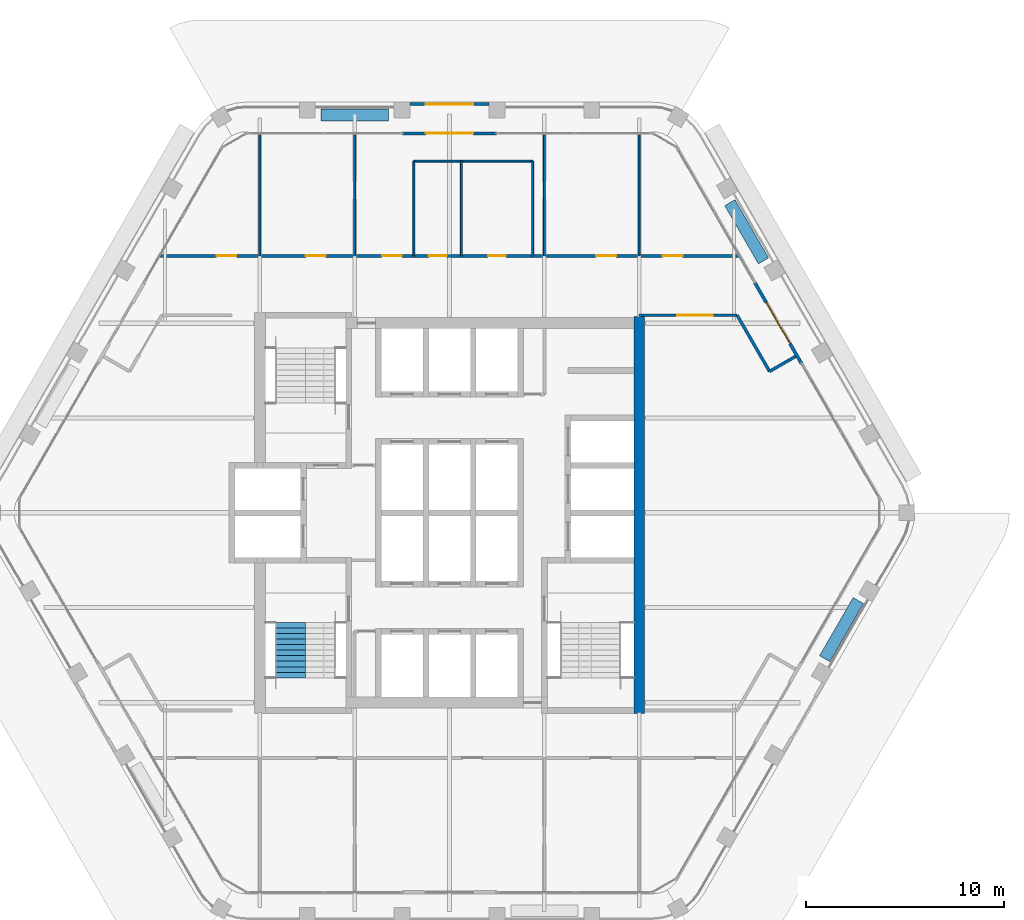
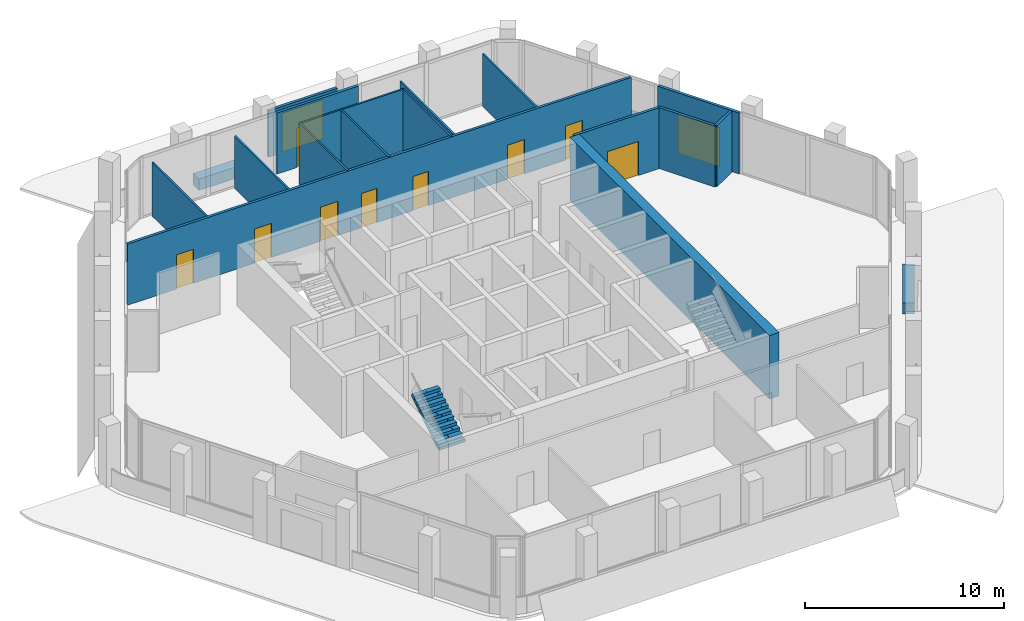
# One storey, part 10 of 14: 19 walls, 11 doors, 1 stair flight, 11 openings, 1 element without a shape of its own.
"""IFC4 building model written with IfcOpenShell, lengths in metres."""

import ifcopenshell
import ifcopenshell.guid

model = None  # the IFC model being written
_history = None  # IfcOwnerHistory: only IFC2X3 demands one
_inside = {}  # id of a spatial element -> (the spatial element, [elements in it])
_under = {}  # id of a project, library or spatial element -> (it, [spatial elements below it])
_declared = {}  # id of a project -> (the project, [libraries it declares])
_typed = {}  # id of a type object -> (the type object, [elements of that type])
_made_of = {}  # id of a material, layer set ... -> (it, [elements and type objects made of it])


def new_model(schema):
    """Start an empty IFC model of exactly this schema.

    Asked for "IFC4X3", IfcOpenShell would pick the latest addendum, in which some entities
    have other attributes; the version numbers below select the first issue.
    IFC2X3 requires an IfcOwnerHistory on every rooted entity: one is made here for all.
    """
    global model, _history
    if schema == "IFC4X3":
        model = ifcopenshell.file(schema_version=(4, 3, 0, 0))
    else:
        model = ifcopenshell.file(schema=schema)
    _inside.clear()
    _under.clear()
    _declared.clear()
    _typed.clear()
    _made_of.clear()
    _history = None
    if model.schema == "IFC2X3":
        org = make("IfcOrganization", Name="unknown")
        user = make(
            "IfcPersonAndOrganization",
            ThePerson=make("IfcPerson", FamilyName="unknown"),
            TheOrganization=org,
        )
        app = make(
            "IfcApplication",
            ApplicationDeveloper=org,
            Version="unknown",
            ApplicationFullName="unknown",
            ApplicationIdentifier="unknown",
        )
        _history = make(
            "IfcOwnerHistory",
            OwningUser=user,
            OwningApplication=app,
            ChangeAction="ADDED",
            CreationDate=0,
        )
    return model


def make(cls, **values):
    """One entity of the class cls with the attributes given. An attribute that is None is left unset."""
    return model.create_entity(
        cls, **{name: value for name, value in values.items() if value is not None}
    )


def rooted(cls, **values):
    """An entity with a GlobalId (a new one), such as an element, a storey or a relation."""
    return make(cls, GlobalId=ifcopenshell.guid.new(), OwnerHistory=_history, **values)


def si_unit(unit_type, name, prefix=None):
    """IfcSIUnit, for example si_unit("LENGTHUNIT", "METRE", prefix="MILLI")."""
    return make("IfcSIUnit", UnitType=unit_type, Prefix=prefix, Name=name)


def assignment(units):
    """IfcUnitAssignment: the units of a project."""
    return None if units is None else make("IfcUnitAssignment", Units=units)


def point(xyz):
    """IfcCartesianPoint."""
    return None if xyz is None else make("IfcCartesianPoint", Coordinates=xyz)


def direction(xyz):
    """IfcDirection."""
    return None if xyz is None else make("IfcDirection", DirectionRatios=xyz)


def frame(location, z_axis=None, x_axis=None):
    """IfcAxis2Placement3D, a coordinate frame: its origin and axes. An axis left out is left unset."""
    return make(
        "IfcAxis2Placement3D",
        Location=point(location),
        Axis=direction(z_axis),
        RefDirection=direction(x_axis),
    )


def frame_2d(location, x_axis=None):
    """IfcAxis2Placement2D, a coordinate frame in the plane: its origin and x axis."""
    return make(
        "IfcAxis2Placement2D", Location=point(location), RefDirection=direction(x_axis)
    )


def origin():
    """The frame at (0, 0, 0) with its axes left unset."""
    return frame((0.0, 0.0, 0.0))


def place(relative_to, where):
    """IfcLocalPlacement: puts the frame where relative to a parent placement (None: the world)."""
    return make(
        "IfcLocalPlacement", PlacementRelTo=relative_to, RelativePlacement=where
    )


def context(
    kind, dimensions, precision=None, world=None, true_north=None, identifier=None
):
    """IfcGeometricRepresentationContext, for example the 3D "Model" context."""
    return make(
        "IfcGeometricRepresentationContext",
        ContextIdentifier=identifier,
        ContextType=kind,
        CoordinateSpaceDimension=dimensions,
        Precision=precision,
        WorldCoordinateSystem=world,
        TrueNorth=true_north,
    )


def subcontext(parent, identifier, kind, view, scale=None):
    """IfcGeometricRepresentationSubContext, for example "Body" below "Model"."""
    return make(
        "IfcGeometricRepresentationSubContext",
        ContextIdentifier=identifier,
        ContextType=kind,
        ParentContext=parent,
        TargetScale=scale,
        TargetView=view,
    )


def project(units=None, contexts=None):
    """IfcProject with its units and contexts."""
    return rooted(
        "IfcProject",
        Name="project",
        RepresentationContexts=contexts,
        UnitsInContext=assignment(units),
    )


def spatial(cls, under=None, at=None, **own):
    """A site, building, storey or space (cls), placed at a placement, below another one or the project."""
    s = rooted(cls, ObjectPlacement=at, **own)
    if under is not None:
        _under.setdefault(under.id(), (under, []))[1].append(s)
    return s


def polyline(points):
    """IfcPolyline through the points."""
    return make("IfcPolyline", Points=[point(p) for p in points])


def profile(cls, at=None, kind="AREA", **sizes):
    """A parametric profile (cls). Its sizes go by their IFC names, for example OverallWidth=200.0."""
    return make(cls, ProfileType=kind, Position=at, **sizes)


def rectangle(**sizes):
    """IfcRectangleProfileDef."""
    return profile("IfcRectangleProfileDef", **sizes)


def outline(outer, holes=None, kind="AREA"):
    """IfcArbitraryClosedProfileDef: a profile drawn as a closed curve; with holes, ...WithVoids."""
    if holes is None:
        return make("IfcArbitraryClosedProfileDef", ProfileType=kind, OuterCurve=outer)
    return make(
        "IfcArbitraryProfileDefWithVoids",
        ProfileType=kind,
        OuterCurve=outer,
        InnerCurves=holes,
    )


def extrude(swept, where, along, depth):
    """IfcExtrudedAreaSolid: the profile swept, set in the frame where, extruded along a direction by depth."""
    return make(
        "IfcExtrudedAreaSolid",
        SweptArea=swept,
        Position=where,
        ExtrudedDirection=direction(along),
        Depth=depth,
    )


def shape(context_of_items, identifier, shape_type, items):
    """IfcShapeRepresentation: the items that make up one representation, for example the "Body"."""
    return make(
        "IfcShapeRepresentation",
        ContextOfItems=context_of_items,
        RepresentationIdentifier=identifier,
        RepresentationType=shape_type,
        Items=items,
    )


def material(Name=None, Category=None):
    """IfcMaterial."""
    return make("IfcMaterial", Name=Name, Category=Category)


def layer(
    of_material, thickness, ventilated=None, Name=None, Category=None, Priority=None
):
    """IfcMaterialLayer: one layer of a wall or slab, of a material (None: an air gap)."""
    return make(
        "IfcMaterialLayer",
        Material=of_material,
        LayerThickness=thickness,
        IsVentilated=ventilated,
        Name=Name,
        Category=Category,
        Priority=Priority,
    )


def layer_set(layers, Name=None):
    """IfcMaterialLayerSet."""
    return make("IfcMaterialLayerSet", MaterialLayers=layers, LayerSetName=Name)


def made_of(thing, what):
    """Note that an element or type object is made of a material, layer set ...; save() writes the relation."""
    if what is not None:
        _made_of.setdefault(what.id(), (what, []))[1].append(thing)
    return thing


def type_object(cls, material=None, **own):
    """A type object (cls), such as IfcWallType, which elements share."""
    return made_of(rooted(cls, **own), material)


def element(
    cls,
    number,
    at=None,
    inside=None,
    cuts=None,
    type_object=None,
    material=None,
    context=None,
    identifier="Body",
    shape_type=None,
    held_by="IfcProductDefinitionShape",
    body=None,
    shapes=None,
    **own,
):
    """One element of the class cls, such as IfcWall. Its Tag is "e" and its number.

    at: its placement. inside: the storey or other place that contains it. cuts: it is an
    opening in that element (IfcRelVoidsElement). A single representation is given by context,
    identifier, shape_type and body (its items); several are given by shapes. held_by: the class
    of the entity that holds the representations. save() writes the other relations.
    """
    e = rooted(cls, Tag="e%d" % number, ObjectPlacement=at, **own)
    if body is not None:
        shapes = [shape(context, identifier, shape_type, body)]
    if shapes is not None:
        e.Representation = make(held_by, Representations=shapes)
    if inside is not None:
        _inside.setdefault(inside.id(), (inside, []))[1].append(e)
    if cuts is not None:
        rooted(
            "IfcRelVoidsElement", RelatingBuildingElement=cuts, RelatedOpeningElement=e
        )
    if type_object is not None:
        _typed.setdefault(type_object.id(), (type_object, []))[1].append(e)
    return made_of(e, material)


def fill(opening, filler):
    """IfcRelFillsElement: the door or window that sits in an opening."""
    return rooted(
        "IfcRelFillsElement",
        RelatingOpeningElement=opening,
        RelatedBuildingElement=filler,
    )


def aggregate(whole, parts):
    """IfcRelAggregates: a whole, such as a stair, and the parts it consists of."""
    return rooted("IfcRelAggregates", RelatingObject=whole, RelatedObjects=parts)


def save(model, path):
    """Write the relations noted so far, then the file.

    IfcRelAggregates (storeys below a building ...), IfcRelContainedInSpatialStructure (elements
    in a storey), IfcRelDefinesByType, IfcRelAssociatesMaterial and IfcRelDeclares: one each for
    every whole, place, type object, material and project.
    """
    for whole, parts in _under.values():
        aggregate(whole, parts)
    for where, things in _inside.values():
        rooted(
            "IfcRelContainedInSpatialStructure",
            RelatedElements=things,
            RelatingStructure=where,
        )
    for kind, things in _typed.values():
        rooted("IfcRelDefinesByType", RelatedObjects=things, RelatingType=kind)
    for what, things in _made_of.values():
        rooted("IfcRelAssociatesMaterial", RelatedObjects=things, RelatingMaterial=what)
    for by, libraries in _declared.values():
        rooted("IfcRelDeclares", RelatingContext=by, RelatedDefinitions=libraries)
    model.write(path)


model = new_model("IFC4")

# Units and contexts
model_context = context("Model", 3, precision=1e-05, world=origin(), true_north=direction((0.0, 1.0)))
body_context = subcontext(model_context, "Body", "Model", "MODEL_VIEW")
ifc_project = project(units=[si_unit("LENGTHUNIT", "METRE"), si_unit("AREAUNIT", "SQUARE_METRE"), si_unit("VOLUMEUNIT", "CUBIC_METRE"), si_unit("PLANEANGLEUNIT", "RADIAN"), si_unit("MASSUNIT", "GRAM", prefix="KILO")], contexts=[model_context])

# Site, building, storey
site_placement = place(None, origin())
site = spatial("IfcSite", under=ifc_project, at=site_placement, CompositionType="ELEMENT")
building_placement = place(site_placement, origin())
building = spatial("IfcBuilding", under=site, at=building_placement, Name="Kolab Exchange Tower", CompositionType="ELEMENT")
storey_placement = place(building_placement, frame((0.0, 0.0, 222.800048828125)))
storey = spatial("IfcBuildingStorey", under=building, at=storey_placement, Name="L48", CompositionType="ELEMENT", Elevation=222.800048828125)

# Wall
ifc_material_1 = material(Name="Concrete C50/60", Category="concrete")
ifc_layer_1 = layer(ifc_material_1, 0.550048828125)
ifc_layer_set_1 = layer_set([ifc_layer_1], Name="Concrete C50/60")
wall_type_1 = type_object("IfcWallType", Name="CORE WALL 550 C50/60", PredefinedType="SHEAR", material=ifc_layer_set_1)
wall_1_placement = place(storey_placement, frame((9.60009765625, -10.14990234375, -0.150146484375), z_axis=(0.0, 0.0, 1.0), x_axis=(0.0, 1.0, 0.0)))
element("IfcWall", 1, at=wall_1_placement, inside=storey, type_object=wall_type_1, Name="wall/L48/core/058", PredefinedType="SHEAR", context=body_context, shape_type="SweptSolid", body=[
    extrude(rectangle(XDim=20.074951171875, YDim=0.550048828125, at=frame_2d((10.03759765625, 0.0))), origin(), (0.0, 0.0, 1.0), 3.900146484375),
])

# Wall, opening, door
ifc_material_2 = material(Name="Aluminium EN AW-6063 T6", Category="aluminium")
ifc_layer_2 = layer(ifc_material_2, 0.159912109375)
ifc_layer_set_2 = layer_set([ifc_layer_2], Name="Aluminium EN AW-6063 T6")
wall_type_2 = type_object("IfcWallType", Name="DOOR SURROUND WALL 160 ALUMINIUM FRAMED", PredefinedType="PARTITIONING", material=ifc_layer_set_2)
wall_2_placement = place(storey_placement, frame((-2.3701171875, 19.20458984375, 0.0), z_axis=(0.0, 0.0, 1.0), x_axis=(1.0, 0.0, 0.0)))
wall_2 = element("IfcWall", 2, at=wall_2_placement, inside=storey, type_object=wall_type_2, Name="Door surround wall", PredefinedType="PARTITIONING", context=body_context, shape_type="SweptSolid", body=[
    extrude(rectangle(XDim=4.740234375, YDim=0.159912109375, at=frame_2d((2.3701171875, 0.0))), origin(), (0.0, 0.0, 1.0), 3.75),
])
opening_1_placement = place(wall_2_placement, frame((1.169921875, 0.0, 0.0)))
opening_1 = element("IfcOpeningElement", 3, at=opening_1_placement, cuts=wall_2, Name="Opening GD1-089", PredefinedType="OPENING", context=body_context, shape_type="SweptSolid", body=[
    extrude(rectangle(XDim=2.39990234375, YDim=2.39990234375, at=frame_2d((1.199951171875, 1.199951171875))), frame((0.0, 0.08984375, 0.0), z_axis=(0.0, -1.0, 0.0), x_axis=(1.0, 0.0, 0.0)), (0.0, 0.0, 1.0), 0.179931640625),
])
door_type_1 = type_object("IfcDoorType", Name="LOGGIA SLIDING GLASS DOOR 2400 X 2400", OperationType="DOUBLE_DOOR_SINGLE_SWING", PredefinedType="DOOR", material=ifc_material_2)
door_1_placement = place(opening_1_placement, origin())
door_1 = element("IfcDoor", 4, at=door_1_placement, inside=storey, type_object=door_type_1, Name="Loggia door", OperationType="DOUBLE_DOOR_SLIDING", OverallHeight=2.39990234375, OverallWidth=2.39990234375, PredefinedType="DOOR", context=body_context, shape_type="SweptSolid", body=[
    extrude(rectangle(XDim=2.39990234375, YDim=2.39990234375, at=frame_2d((1.199951171875, 1.199951171875))), frame((0.0, 0.02490234375, 0.0), z_axis=(0.0, -1.0, 0.0), x_axis=(1.0, 0.0, 0.0)), (0.0, 0.0, 1.0), 0.050048828125),
])
fill(opening_1, door_1)

wall_3_placement = place(storey_placement, frame((15.44677734375, 11.65478515625, 0.0), z_axis=(0.0, 0.0, 1.0), x_axis=(0.499978080042, -0.866038058908, 0.0)))
wall_3 = element("IfcWall", 5, at=wall_3_placement, inside=storey, type_object=wall_type_2, Name="Door surround wall", PredefinedType="PARTITIONING", context=body_context, shape_type="SweptSolid", body=[
    extrude(rectangle(XDim=4.739990234375, YDim=0.159912109375, at=frame_2d((2.3701171875, 0.0))), origin(), (0.0, 0.0, 1.0), 3.75),
])
opening_2_placement = place(wall_3_placement, frame((1.169921875, 0.0, 0.0)))
opening_2 = element("IfcOpeningElement", 6, at=opening_2_placement, cuts=wall_3, Name="Opening GD1-090", PredefinedType="OPENING", context=body_context, shape_type="SweptSolid", body=[
    extrude(rectangle(XDim=2.39990234375, YDim=2.39990234375, at=frame_2d((1.199951171875, 1.199951171875))), frame((0.0, 0.08984375, 0.0), z_axis=(0.0, -1.0, 0.0), x_axis=(1.0, 0.0, 0.0)), (0.0, 0.0, 1.0), 0.179931640625),
])
door_2_placement = place(opening_2_placement, origin())
door_2 = element("IfcDoor", 7, at=door_2_placement, inside=storey, type_object=door_type_1, Name="Loggia door", OperationType="DOUBLE_DOOR_SLIDING", OverallHeight=2.39990234375, OverallWidth=2.39990234375, PredefinedType="DOOR", context=body_context, shape_type="SweptSolid", body=[
    extrude(rectangle(XDim=2.39990234375, YDim=2.39990234375, at=frame_2d((1.199951171875, 1.199951171875))), frame((0.0, 0.02490234375, 0.0), z_axis=(0.0, -1.0, 0.0), x_axis=(1.0, 0.0, 0.0)), (0.0, 0.0, 1.0), 0.050048828125),
])
fill(opening_2, door_2)

wall_4_placement = place(storey_placement, frame((-1.998046875, 20.6845703125, 0.0), z_axis=(0.0, 0.0, 1.0), x_axis=(1.0, 0.0, 0.0)))
wall_4 = element("IfcWall", 8, at=wall_4_placement, inside=storey, type_object=wall_type_2, Name="Door surround wall", PredefinedType="PARTITIONING", context=body_context, shape_type="SweptSolid", body=[
    extrude(rectangle(XDim=3.99609375, YDim=0.159912109375, at=frame_2d((1.998046875, 0.0))), origin(), (0.0, 0.0, 1.0), 2.849853515625),
])
opening_3_placement = place(wall_4_placement, frame((0.798095703125, 0.0, 0.0)))
opening_3 = element("IfcOpeningElement", 9, at=opening_3_placement, cuts=wall_4, Name="Opening GD1-095", PredefinedType="OPENING", context=body_context, shape_type="SweptSolid", body=[
    extrude(rectangle(XDim=2.39990234375, YDim=2.39990234375, at=frame_2d((1.199951171875, 1.199951171875))), frame((0.0, 0.08984375, 0.0), z_axis=(0.0, -1.0, 0.0), x_axis=(1.0, 0.0, 0.0)), (0.0, 0.0, 1.0), 0.179931640625),
])
door_3_placement = place(opening_3_placement, origin())
door_3 = element("IfcDoor", 10, at=door_3_placement, inside=storey, type_object=door_type_1, Name="Terrace door", OperationType="DOUBLE_DOOR_SLIDING", OverallHeight=2.39990234375, OverallWidth=2.39990234375, PredefinedType="DOOR", context=body_context, shape_type="SweptSolid", body=[
    extrude(rectangle(XDim=2.39990234375, YDim=2.39990234375, at=frame_2d((1.199951171875, 1.199951171875))), frame((0.0, 0.02490234375, 0.0), z_axis=(0.0, -1.0, 0.0), x_axis=(1.0, 0.0, 0.0)), (0.0, 0.0, 1.0), 0.050048828125),
])
fill(opening_3, door_3)

# Walls
ifc_material_3 = material(Name="Gypsum board", Category="gypsum")
ifc_layer_3 = layer(ifc_material_3, 0.10009765625)
ifc_layer_set_3 = layer_set([ifc_layer_3], Name="Gypsum board")
wall_type_3 = type_object("IfcWallType", Name="PARTITION 100", PredefinedType="PARTITIONING", material=ifc_layer_set_3)
for number, where, z_axis, x_axis, name in (
    (11, (9.60009765625, 13.0, 0.0), (0.0, 0.0, 1.0), (0.0, 1.0, 0.0), "Partition 001"),
    (12, (4.800048828125, 13.0, 0.0), (0.0, 0.0, 1.0), (0.0, 1.0, 0.0), "Partition 003"),
):
    element("IfcWall", number, at=place(storey_placement, frame(where, z_axis=z_axis, x_axis=x_axis)), inside=storey, type_object=wall_type_3, Name=name, PredefinedType="PARTITIONING", context=body_context, shape_type="SweptSolid", body=[
        extrude(rectangle(XDim=6.114501953125, YDim=0.10009765625, at=frame_2d((3.05712890625, 0.0))), origin(), (0.0, 0.0, 1.0), 3.217041015625),
    ])
for number, where, z_axis, x_axis, name in (
    (13, (4.199951171875, 13.0, 0.0), (0.0, 0.0, 1.0), (0.0, 1.0, 0.0), "Partition 005"),
    (14, (0.60009765625, 13.0, 0.0), (0.0, 0.0, 1.0), (0.0, 1.0, 0.0), "Partition 006"),
    (15, (-1.800048828125, 13.0, 0.0), (0.0, 0.0, 1.0), (0.0, 1.0, 0.0), "Partition 007"),
):
    element("IfcWall", number, at=place(storey_placement, frame(where, z_axis=z_axis, x_axis=x_axis)), inside=storey, type_object=wall_type_3, Name=name, PredefinedType="PARTITIONING", context=body_context, shape_type="SweptSolid", body=[
        extrude(rectangle(XDim=4.800048828125, YDim=0.10009765625, at=frame_2d((2.39990234375, 0.0))), origin(), (0.0, 0.0, 1.0), 3.75),
    ])
wall_5_placement = place(storey_placement, frame((-4.800048828125, 13.0, 0.0), z_axis=(0.0, 0.0, 1.0), x_axis=(0.0, 1.0, 0.0)))
element("IfcWall", 16, at=wall_5_placement, inside=storey, type_object=wall_type_3, Name="Partition 009", PredefinedType="PARTITIONING", context=body_context, shape_type="SweptSolid", body=[
    extrude(rectangle(XDim=6.114501953125, YDim=0.10009765625, at=frame_2d((3.05712890625, 0.0))), origin(), (0.0, 0.0, 1.0), 3.217041015625),
])
wall_6_placement = place(storey_placement, frame((-9.60009765625, 13.0, 0.0), z_axis=(0.0, 0.0, 1.0), x_axis=(0.0, 1.0, 0.0)))
element("IfcWall", 17, at=wall_6_placement, inside=storey, type_object=wall_type_3, Name="Partition 012", PredefinedType="PARTITIONING", context=body_context, shape_type="SweptSolid", body=[
    extrude(rectangle(XDim=6.114501953125, YDim=0.10009765625, at=frame_2d((3.05712890625, 0.0))), origin(), (0.0, 0.0, 1.0), 3.29296875),
])
wall_7_placement = place(storey_placement, frame((-1.800048828125, 17.800048828125, 0.0), z_axis=(0.0, 0.0, 1.0), x_axis=(1.0, 0.0, 0.0)))
element("IfcWall", 18, at=wall_7_placement, inside=storey, type_object=wall_type_3, Name="Partition 029", PredefinedType="PARTITIONING", context=body_context, shape_type="SweptSolid", body=[
    extrude(rectangle(XDim=6.0, YDim=0.10009765625, at=frame_2d((3.0, 0.0))), origin(), (0.0, 0.0, 1.0), 3.75),
])
ifc_layer_4 = layer(ifc_material_3, 0.14990234375)
ifc_layer_set_4 = layer_set([ifc_layer_4], Name="Gypsum board")
wall_type_4 = type_object("IfcWallType", Name="PARTITION 150 FIRE-RATED", PredefinedType="PARTITIONING", material=ifc_layer_set_4)
wall_8_placement = place(storey_placement, frame((14.5546875, 10.0, 0.0), z_axis=(0.0, 0.0, 1.0), x_axis=(0.499954196102, -0.866051847062, 0.0)))
element("IfcWall", 19, at=wall_8_placement, inside=storey, type_object=wall_type_4, Name="Partition 014", PredefinedType="PARTITIONING", context=body_context, shape_type="SweptSolid", body=[
    extrude(rectangle(XDim=3.282958984375, YDim=0.14990234375, at=frame_2d((1.6416015625, 0.0))), origin(), (0.0, 0.0, 1.0), 3.75),
])
wall_9_placement = place(storey_placement, frame((16.196044921875, 7.15673828125, 0.0), z_axis=(0.0, 0.0, 1.0), x_axis=(0.865960906633, 0.500111695708, 0.0)))
element("IfcWall", 20, at=wall_9_placement, inside=storey, type_object=wall_type_4, Name="Partition 019", PredefinedType="PARTITIONING", context=body_context, shape_type="SweptSolid", body=[
    extrude(rectangle(XDim=1.520263671875, YDim=0.14990234375, at=frame_2d((0.76025390625, 0.0))), origin(), (0.0, 0.0, 1.0), 3.75),
])

# Wall, opening, door
wall_10_placement = place(storey_placement, frame((9.60009765625, 10.0, 0.0), z_axis=(0.0, 0.0, 1.0), x_axis=(1.0, 0.0, 0.0)))
wall_10 = element("IfcWall", 21, at=wall_10_placement, inside=storey, type_object=wall_type_4, Name="Partition 027", PredefinedType="PARTITIONING", context=body_context, shape_type="SweptSolid", body=[
    extrude(rectangle(XDim=4.95458984375, YDim=0.14990234375, at=frame_2d((2.477294921875, 0.0))), origin(), (0.0, 0.0, 1.0), 3.75),
])
opening_4_placement = place(wall_10_placement, frame((1.91552734375, 0.0, 0.0)))
opening_4 = element("IfcOpeningElement", 22, at=opening_4_placement, cuts=wall_10, Name="Opening D2-063", PredefinedType="OPENING", context=body_context, shape_type="SweptSolid", body=[
    extrude(rectangle(XDim=1.800048828125, YDim=2.10009765625, at=frame_2d((0.89990234375, 1.050048828125))), frame((0.0, 0.0849609375, 0.0), z_axis=(0.0, -1.0, 0.0), x_axis=(1.0, 0.0, 0.0)), (0.0, 0.0, 1.0), 0.169921875),
])
ifc_material_4 = material(Name="Steel S235", Category="steel")
door_type_2 = type_object("IfcDoorType", Name="DOUBLE DOOR 1800 FD60", OperationType="DOUBLE_DOOR_SINGLE_SWING", PredefinedType="DOOR", material=ifc_material_4)
door_4_placement = place(opening_4_placement, frame((1.800048828125, 0.0, 0.0), z_axis=(0.0, 0.0, 1.0), x_axis=(-1.0, 0.0, 0.0)))
door_4 = element("IfcDoor", 23, at=door_4_placement, inside=storey, type_object=door_type_2, Name="Door L48-039", OperationType="SINGLE_SWING_RIGHT", OverallHeight=2.10009765625, OverallWidth=1.800048828125, PredefinedType="DOOR", context=body_context, shape_type="SweptSolid", body=[
    extrude(rectangle(XDim=1.800048828125, YDim=2.10009765625, at=frame_2d((0.89990234375, 1.050048828125))), frame((0.0, 0.02490234375, 0.0), z_axis=(0.0, -1.0, 0.0), x_axis=(1.0, 0.0, 0.0)), (0.0, 0.0, 1.0), 0.050048828125),
])
fill(opening_4, door_4)

# Wall, openings, doors
wall_11_placement = place(storey_placement, frame((-14.623779296875, 13.0, 0.0), z_axis=(0.0, 0.0, 1.0), x_axis=(1.0, 0.0, 0.0)))
wall_11 = element("IfcWall", 24, at=wall_11_placement, inside=storey, type_object=wall_type_4, Name="Partition 028", PredefinedType="PARTITIONING", context=body_context, shape_type="SweptSolid", body=[
    extrude(rectangle(XDim=29.24755859375, YDim=0.14990234375, at=frame_2d((14.623779296875, 0.0))), origin(), (0.0, 0.0, 1.0), 3.75),
])
opening_5_placement = place(wall_11_placement, frame((2.833251953125, 0.0, 0.0)))
opening_5 = element("IfcOpeningElement", 25, at=opening_5_placement, cuts=wall_11, Name="Opening D1-633", PredefinedType="OPENING", context=body_context, shape_type="SweptSolid", body=[
    extrude(rectangle(XDim=1.0, YDim=2.10009765625, at=frame_2d((0.5, 1.050048828125))), frame((0.0, 0.0849609375, 0.0), z_axis=(0.0, -1.0, 0.0), x_axis=(1.0, 0.0, 0.0)), (0.0, 0.0, 1.0), 0.169921875),
])
opening_6_placement = place(wall_11_placement, frame((7.35888671875, 0.0, 0.0)))
opening_6 = element("IfcOpeningElement", 26, at=opening_6_placement, cuts=wall_11, Name="Opening D1-634", PredefinedType="OPENING", context=body_context, shape_type="SweptSolid", body=[
    extrude(rectangle(XDim=1.0, YDim=2.10009765625, at=frame_2d((0.5, 1.050048828125))), frame((0.0, 0.0849609375, 0.0), z_axis=(0.0, -1.0, 0.0), x_axis=(1.0, 0.0, 0.0)), (0.0, 0.0, 1.0), 0.169921875),
])
opening_7_placement = place(wall_11_placement, frame((11.208740234375, 0.0, 0.0)))
opening_7 = element("IfcOpeningElement", 27, at=opening_7_placement, cuts=wall_11, Name="Opening D1-635", PredefinedType="OPENING", context=body_context, shape_type="SweptSolid", body=[
    extrude(rectangle(XDim=1.0, YDim=2.10009765625, at=frame_2d((0.5, 1.050048828125))), frame((0.0, 0.0849609375, 0.0), z_axis=(0.0, -1.0, 0.0), x_axis=(1.0, 0.0, 0.0)), (0.0, 0.0, 1.0), 0.169921875),
])
opening_8_placement = place(wall_11_placement, frame((22.048828125, 0.0, 0.0)))
opening_8 = element("IfcOpeningElement", 28, at=opening_8_placement, cuts=wall_11, Name="Opening D1-636", PredefinedType="OPENING", context=body_context, shape_type="SweptSolid", body=[
    extrude(rectangle(XDim=1.0, YDim=2.10009765625, at=frame_2d((0.5, 1.050048828125))), frame((0.0, 0.0849609375, 0.0), z_axis=(0.0, -1.0, 0.0), x_axis=(1.0, 0.0, 0.0)), (0.0, 0.0, 1.0), 0.169921875),
])
opening_9_placement = place(wall_11_placement, frame((25.414306640625, 0.0, 0.0)))
opening_9 = element("IfcOpeningElement", 29, at=opening_9_placement, cuts=wall_11, Name="Opening D1-637", PredefinedType="OPENING", context=body_context, shape_type="SweptSolid", body=[
    extrude(rectangle(XDim=1.0, YDim=2.10009765625, at=frame_2d((0.5, 1.050048828125))), frame((0.0, 0.0849609375, 0.0), z_axis=(0.0, -1.0, 0.0), x_axis=(1.0, 0.0, 0.0)), (0.0, 0.0, 1.0), 0.169921875),
])
opening_10_placement = place(wall_11_placement, frame((16.57373046875, 0.0, 0.0)))
opening_10 = element("IfcOpeningElement", 30, at=opening_10_placement, cuts=wall_11, Name="Opening D3-072", PredefinedType="OPENING", context=body_context, shape_type="SweptSolid", body=[
    extrude(rectangle(XDim=0.89990234375, YDim=2.10009765625, at=frame_2d((0.449951171875, 1.050048828125))), frame((0.0, 0.0849609375, 0.0), z_axis=(0.0, -1.0, 0.0), x_axis=(1.0, 0.0, 0.0)), (0.0, 0.0, 1.0), 0.169921875),
])
opening_11_placement = place(wall_11_placement, frame((13.57373046875, 0.0, 0.0)))
opening_11 = element("IfcOpeningElement", 31, at=opening_11_placement, cuts=wall_11, Name="Opening D3-073", PredefinedType="OPENING", context=body_context, shape_type="SweptSolid", body=[
    extrude(rectangle(XDim=0.89990234375, YDim=2.10009765625, at=frame_2d((0.449951171875, 1.050048828125))), frame((0.0, 0.0849609375, 0.0), z_axis=(0.0, -1.0, 0.0), x_axis=(1.0, 0.0, 0.0)), (0.0, 0.0, 1.0), 0.169921875),
])
door_type_3 = type_object("IfcDoorType", Name="FLUSH DOOR 1000 FD60", OperationType="SINGLE_SWING_LEFT", PredefinedType="DOOR", material=ifc_material_4)
door_5_placement = place(opening_5_placement, origin())
door_5 = element("IfcDoor", 32, at=door_5_placement, inside=storey, type_object=door_type_3, Name="Door L48-029", OperationType="SINGLE_SWING_RIGHT", OverallHeight=2.10009765625, OverallWidth=1.0, PredefinedType="DOOR", context=body_context, shape_type="SweptSolid", body=[
    extrude(rectangle(XDim=1.0, YDim=2.10009765625, at=frame_2d((0.5, 1.050048828125))), frame((0.0, 0.02490234375, 0.0), z_axis=(0.0, -1.0, 0.0), x_axis=(1.0, 0.0, 0.0)), (0.0, 0.0, 1.0), 0.050048828125),
])
fill(opening_5, door_5)
door_6_placement = place(opening_6_placement, origin())
door_6 = element("IfcDoor", 33, at=door_6_placement, inside=storey, type_object=door_type_3, Name="Door L48-030", OperationType="SINGLE_SWING_RIGHT", OverallHeight=2.10009765625, OverallWidth=1.0, PredefinedType="DOOR", context=body_context, shape_type="SweptSolid", body=[
    extrude(rectangle(XDim=1.0, YDim=2.10009765625, at=frame_2d((0.5, 1.050048828125))), frame((0.0, 0.02490234375, 0.0), z_axis=(0.0, -1.0, 0.0), x_axis=(1.0, 0.0, 0.0)), (0.0, 0.0, 1.0), 0.050048828125),
])
fill(opening_6, door_6)
door_7_placement = place(opening_7_placement, origin())
door_7 = element("IfcDoor", 34, at=door_7_placement, inside=storey, type_object=door_type_3, Name="Door L48-031", OperationType="SINGLE_SWING_RIGHT", OverallHeight=2.10009765625, OverallWidth=1.0, PredefinedType="DOOR", context=body_context, shape_type="SweptSolid", body=[
    extrude(rectangle(XDim=1.0, YDim=2.10009765625, at=frame_2d((0.5, 1.050048828125))), frame((0.0, 0.02490234375, 0.0), z_axis=(0.0, -1.0, 0.0), x_axis=(1.0, 0.0, 0.0)), (0.0, 0.0, 1.0), 0.050048828125),
])
fill(opening_7, door_7)
door_8_placement = place(opening_8_placement, origin())
door_8 = element("IfcDoor", 35, at=door_8_placement, inside=storey, type_object=door_type_3, Name="Door L48-032", OperationType="SINGLE_SWING_RIGHT", OverallHeight=2.10009765625, OverallWidth=1.0, PredefinedType="DOOR", context=body_context, shape_type="SweptSolid", body=[
    extrude(rectangle(XDim=1.0, YDim=2.10009765625, at=frame_2d((0.5, 1.050048828125))), frame((0.0, 0.02490234375, 0.0), z_axis=(0.0, -1.0, 0.0), x_axis=(1.0, 0.0, 0.0)), (0.0, 0.0, 1.0), 0.050048828125),
])
fill(opening_8, door_8)
door_9_placement = place(opening_9_placement, origin())
door_9 = element("IfcDoor", 36, at=door_9_placement, inside=storey, type_object=door_type_3, Name="Door L48-033", OperationType="SINGLE_SWING_LEFT", OverallHeight=2.10009765625, OverallWidth=1.0, PredefinedType="DOOR", context=body_context, shape_type="SweptSolid", body=[
    extrude(rectangle(XDim=1.0, YDim=2.10009765625, at=frame_2d((0.5, 1.050048828125))), frame((0.0, 0.02490234375, 0.0), z_axis=(0.0, -1.0, 0.0), x_axis=(1.0, 0.0, 0.0)), (0.0, 0.0, 1.0), 0.050048828125),
])
fill(opening_9, door_9)
door_type_4 = type_object("IfcDoorType", Name="FLUSH DOOR 900 FD60", OperationType="SINGLE_SWING_LEFT", PredefinedType="DOOR", material=ifc_material_4)
door_10_placement = place(opening_10_placement, origin())
door_10 = element("IfcDoor", 37, at=door_10_placement, inside=storey, type_object=door_type_4, Name="Door L48-041", OperationType="SINGLE_SWING_LEFT", OverallHeight=2.10009765625, OverallWidth=0.89990234375, PredefinedType="DOOR", context=body_context, shape_type="SweptSolid", body=[
    extrude(rectangle(XDim=0.89990234375, YDim=2.10009765625, at=frame_2d((0.449951171875, 1.050048828125))), frame((0.0, 0.02490234375, 0.0), z_axis=(0.0, -1.0, 0.0), x_axis=(1.0, 0.0, 0.0)), (0.0, 0.0, 1.0), 0.050048828125),
])
fill(opening_10, door_10)
door_11_placement = place(opening_11_placement, origin())
door_11 = element("IfcDoor", 38, at=door_11_placement, inside=storey, type_object=door_type_4, Name="Door L48-042", OperationType="SINGLE_SWING_RIGHT", OverallHeight=2.10009765625, OverallWidth=0.89990234375, PredefinedType="DOOR", context=body_context, shape_type="SweptSolid", body=[
    extrude(rectangle(XDim=0.89990234375, YDim=2.10009765625, at=frame_2d((0.449951171875, 1.050048828125))), frame((0.0, 0.02490234375, 0.0), z_axis=(0.0, -1.0, 0.0), x_axis=(1.0, 0.0, 0.0)), (0.0, 0.0, 1.0), 0.050048828125),
])
fill(opening_11, door_11)

# Walls
ifc_material_5 = material(Name="Granite facing", Category="masonry")
ifc_layer_5 = layer(ifc_material_5, 0.0400390625)
ifc_material_6 = material(Name="Concrete C40/50 precast", Category="concrete")
ifc_layer_6 = layer(ifc_material_6, 0.56005859375)
ifc_layer_set_5 = layer_set([ifc_layer_5, ifc_layer_6], Name="Concrete C40/50 precast")
wall_type_5 = type_object("IfcWallType", Name="PLANTER BOX 600 X 700 SOIL DEPTH 550", PredefinedType="USERDEFINED", material=ifc_layer_set_5)
wall_12_placement = place(storey_placement, frame((-6.5, 20.134521484375, 0.0), z_axis=(0.0, 0.0, 1.0), x_axis=(1.0, 0.0, 0.0)))
element("IfcWall", 39, at=wall_12_placement, inside=storey, type_object=wall_type_5, Name="Planter", ObjectType="PLANTER", PredefinedType="USERDEFINED", context=body_context, shape_type="SweptSolid", body=[
    extrude(rectangle(XDim=3.39990234375, YDim=0.60009765625, at=frame_2d((1.699951171875, 0.0))), origin(), (0.0, 0.0, 1.0), 0.699951171875),
])
wall_13_placement = place(storey_placement, frame((14.18701171875, 15.696533203125, 0.0), z_axis=(0.0, 0.0, 1.0), x_axis=(0.499977295307, -0.866038511948, 0.0)))
element("IfcWall", 40, at=wall_13_placement, inside=storey, type_object=wall_type_5, Name="Planter", ObjectType="PLANTER", PredefinedType="USERDEFINED", context=body_context, shape_type="SweptSolid", body=[
    extrude(rectangle(XDim=3.400146484375, YDim=0.60009765625, at=frame_2d((1.7001953125, 0.0))), origin(), (0.0, 0.0, 1.0), 0.699951171875),
])
wall_14_placement = place(storey_placement, frame((20.68701171875, -4.438232421875, 0.0), z_axis=(0.0, 0.0, 1.0), x_axis=(-0.500008388397, -0.866020560687, 0.0)))
element("IfcWall", 41, at=wall_14_placement, inside=storey, type_object=wall_type_5, Name="Planter", ObjectType="PLANTER", PredefinedType="USERDEFINED", context=body_context, shape_type="SweptSolid", body=[
    extrude(rectangle(XDim=3.39990234375, YDim=0.60009765625, at=frame_2d((1.699951171875, 0.0))), origin(), (0.0, 0.0, 1.0), 0.699951171875),
])

# Stair, stair flight
stair_type = type_object("IfcStairType", Name="STAIR ST3 RISER 177.3", PredefinedType="HALF_TURN_STAIR", material=ifc_material_1)
stair_placement = place(storey_placement, origin())
stair = element("IfcStair", 42, at=stair_placement, inside=storey, type_object=stair_type, Name="Stair 3", PredefinedType="HALF_TURN_STAIR")
stair_flight_type = type_object("IfcStairFlightType", Name="STAIR FLIGHT 1500 RISER 177.3", PredefinedType="STRAIGHT", material=ifc_material_1)
stair_flight_placement = place(storey_placement, frame((-8.047607421875, -8.35009765625, 1.949951171875), z_axis=(0.0, 0.0, 1.0), x_axis=(0.0, 1.0, 0.0)))
stair_flight = element("IfcStairFlight", 43, at=stair_flight_placement, type_object=stair_flight_type, Name="ST3 flight 2", NumberOfRisers=11, NumberOfTreads=10, PredefinedType="STRAIGHT", RiserHeight=0.177272727, TreadLength=0.28, context=body_context, shape_type="SweptSolid", body=[
    extrude(outline(polyline([(0.0, 0.0), (0.0, 0.17724609375), (0.280029296875, 0.17724609375), (0.280029296875, 0.3544921875), (0.56005859375, 0.3544921875), (0.56005859375, 0.53173828125), (0.840087890625, 0.53173828125), (0.840087890625, 0.708984375), (1.1201171875, 0.708984375), (1.1201171875, 0.886474609375), (1.39990234375, 0.886474609375), (1.39990234375, 1.063720703125), (1.679931640625, 1.063720703125), (1.679931640625, 1.240966796875), (1.9599609375, 1.240966796875), (1.9599609375, 1.418212890625), (2.239990234375, 1.418212890625), (2.239990234375, 1.595458984375), (2.52001953125, 1.595458984375), (2.52001953125, 1.772705078125), (2.800048828125, 1.772705078125), (2.800048828125, 1.949951171875), (2.800048828125, 1.59521484375), (0.2802734375, 0.0), (0.0, 0.0)])), frame((0.0, 0.75, 0.0), z_axis=(0.0, -1.0, 0.0), x_axis=(1.0, 0.0, 0.0)), (0.0, 0.0, 1.0), 0.185791015625),
    extrude(outline(polyline([(0.0, 0.0), (0.0, 0.17724609375), (0.280029296875, 0.17724609375), (0.280029296875, 0.3544921875), (0.56005859375, 0.3544921875), (0.56005859375, 0.53173828125), (0.840087890625, 0.53173828125), (0.840087890625, 0.708984375), (1.1201171875, 0.708984375), (1.1201171875, 0.886474609375), (1.39990234375, 0.886474609375), (1.39990234375, 1.063720703125), (1.679931640625, 1.063720703125), (1.679931640625, 1.240966796875), (1.9599609375, 1.240966796875), (1.9599609375, 1.418212890625), (2.239990234375, 1.418212890625), (2.239990234375, 1.595458984375), (2.52001953125, 1.595458984375), (2.52001953125, 1.772705078125), (2.800048828125, 1.772705078125), (2.800048828125, 1.949951171875), (2.800048828125, 1.59521484375), (0.2802734375, 0.0), (0.0, 0.0)])), frame((0.0, 0.562255859375, 0.0), z_axis=(0.0, -1.0, 0.0), x_axis=(1.0, 0.0, 0.0)), (0.0, 0.0, 1.0), 0.185791015625),
    extrude(outline(polyline([(0.0, 0.0), (0.0, 0.17724609375), (0.280029296875, 0.17724609375), (0.280029296875, 0.3544921875), (0.56005859375, 0.3544921875), (0.56005859375, 0.53173828125), (0.840087890625, 0.53173828125), (0.840087890625, 0.708984375), (1.1201171875, 0.708984375), (1.1201171875, 0.886474609375), (1.39990234375, 0.886474609375), (1.39990234375, 1.063720703125), (1.679931640625, 1.063720703125), (1.679931640625, 1.240966796875), (1.9599609375, 1.240966796875), (1.9599609375, 1.418212890625), (2.239990234375, 1.418212890625), (2.239990234375, 1.595458984375), (2.52001953125, 1.595458984375), (2.52001953125, 1.772705078125), (2.800048828125, 1.772705078125), (2.800048828125, 1.949951171875), (2.800048828125, 1.59521484375), (0.2802734375, 0.0), (0.0, 0.0)])), frame((0.0, 0.37451171875, 0.0), z_axis=(0.0, -1.0, 0.0), x_axis=(1.0, 0.0, 0.0)), (0.0, 0.0, 1.0), 0.185791015625),
    extrude(outline(polyline([(0.0, 0.0), (0.0, 0.17724609375), (0.280029296875, 0.17724609375), (0.280029296875, 0.3544921875), (0.56005859375, 0.3544921875), (0.56005859375, 0.53173828125), (0.840087890625, 0.53173828125), (0.840087890625, 0.708984375), (1.1201171875, 0.708984375), (1.1201171875, 0.886474609375), (1.39990234375, 0.886474609375), (1.39990234375, 1.063720703125), (1.679931640625, 1.063720703125), (1.679931640625, 1.240966796875), (1.9599609375, 1.240966796875), (1.9599609375, 1.418212890625), (2.239990234375, 1.418212890625), (2.239990234375, 1.595458984375), (2.52001953125, 1.595458984375), (2.52001953125, 1.772705078125), (2.800048828125, 1.772705078125), (2.800048828125, 1.949951171875), (2.800048828125, 1.59521484375), (0.2802734375, 0.0), (0.0, 0.0)])), frame((0.0, 0.186767578125, 0.0), z_axis=(0.0, -1.0, 0.0), x_axis=(1.0, 0.0, 0.0)), (0.0, 0.0, 1.0), 0.185791015625),
    extrude(outline(polyline([(0.0, 0.0), (0.0, 0.17724609375), (0.280029296875, 0.17724609375), (0.280029296875, 0.3544921875), (0.56005859375, 0.3544921875), (0.56005859375, 0.53173828125), (0.840087890625, 0.53173828125), (0.840087890625, 0.708984375), (1.1201171875, 0.708984375), (1.1201171875, 0.886474609375), (1.39990234375, 0.886474609375), (1.39990234375, 1.063720703125), (1.679931640625, 1.063720703125), (1.679931640625, 1.240966796875), (1.9599609375, 1.240966796875), (1.9599609375, 1.418212890625), (2.239990234375, 1.418212890625), (2.239990234375, 1.595458984375), (2.52001953125, 1.595458984375), (2.52001953125, 1.772705078125), (2.800048828125, 1.772705078125), (2.800048828125, 1.949951171875), (2.800048828125, 1.59521484375), (0.2802734375, 0.0), (0.0, 0.0)])), frame((0.0, -0.0009765625, 0.0), z_axis=(0.0, -1.0, 0.0), x_axis=(1.0, 0.0, 0.0)), (0.0, 0.0, 1.0), 0.185791015625),
    extrude(outline(polyline([(0.0, 0.0), (0.0, 0.17724609375), (0.280029296875, 0.17724609375), (0.280029296875, 0.3544921875), (0.56005859375, 0.3544921875), (0.56005859375, 0.53173828125), (0.840087890625, 0.53173828125), (0.840087890625, 0.708984375), (1.1201171875, 0.708984375), (1.1201171875, 0.886474609375), (1.39990234375, 0.886474609375), (1.39990234375, 1.063720703125), (1.679931640625, 1.063720703125), (1.679931640625, 1.240966796875), (1.9599609375, 1.240966796875), (1.9599609375, 1.418212890625), (2.239990234375, 1.418212890625), (2.239990234375, 1.595458984375), (2.52001953125, 1.595458984375), (2.52001953125, 1.772705078125), (2.800048828125, 1.772705078125), (2.800048828125, 1.949951171875), (2.800048828125, 1.59521484375), (0.2802734375, 0.0), (0.0, 0.0)])), frame((0.0, -0.188720703125, 0.0), z_axis=(0.0, -1.0, 0.0), x_axis=(1.0, 0.0, 0.0)), (0.0, 0.0, 1.0), 0.185791015625),
    extrude(outline(polyline([(0.0, 0.0), (0.0, 0.17724609375), (0.280029296875, 0.17724609375), (0.280029296875, 0.3544921875), (0.56005859375, 0.3544921875), (0.56005859375, 0.53173828125), (0.840087890625, 0.53173828125), (0.840087890625, 0.708984375), (1.1201171875, 0.708984375), (1.1201171875, 0.886474609375), (1.39990234375, 0.886474609375), (1.39990234375, 1.063720703125), (1.679931640625, 1.063720703125), (1.679931640625, 1.240966796875), (1.9599609375, 1.240966796875), (1.9599609375, 1.418212890625), (2.239990234375, 1.418212890625), (2.239990234375, 1.595458984375), (2.52001953125, 1.595458984375), (2.52001953125, 1.772705078125), (2.800048828125, 1.772705078125), (2.800048828125, 1.949951171875), (2.800048828125, 1.59521484375), (0.2802734375, 0.0), (0.0, 0.0)])), frame((0.0, -0.37646484375, 0.0), z_axis=(0.0, -1.0, 0.0), x_axis=(1.0, 0.0, 0.0)), (0.0, 0.0, 1.0), 0.185791015625),
    extrude(outline(polyline([(0.0, 0.0), (0.0, 0.17724609375), (0.280029296875, 0.17724609375), (0.280029296875, 0.3544921875), (0.56005859375, 0.3544921875), (0.56005859375, 0.53173828125), (0.840087890625, 0.53173828125), (0.840087890625, 0.708984375), (1.1201171875, 0.708984375), (1.1201171875, 0.886474609375), (1.39990234375, 0.886474609375), (1.39990234375, 1.063720703125), (1.679931640625, 1.063720703125), (1.679931640625, 1.240966796875), (1.9599609375, 1.240966796875), (1.9599609375, 1.418212890625), (2.239990234375, 1.418212890625), (2.239990234375, 1.595458984375), (2.52001953125, 1.595458984375), (2.52001953125, 1.772705078125), (2.800048828125, 1.772705078125), (2.800048828125, 1.949951171875), (2.800048828125, 1.59521484375), (0.2802734375, 0.0), (0.0, 0.0)])), frame((0.0, -0.564208984375, 0.0), z_axis=(0.0, -1.0, 0.0), x_axis=(1.0, 0.0, 0.0)), (0.0, 0.0, 1.0), 0.185791015625),
])
aggregate(stair, [stair_flight])

save(model, "model.ifc")
